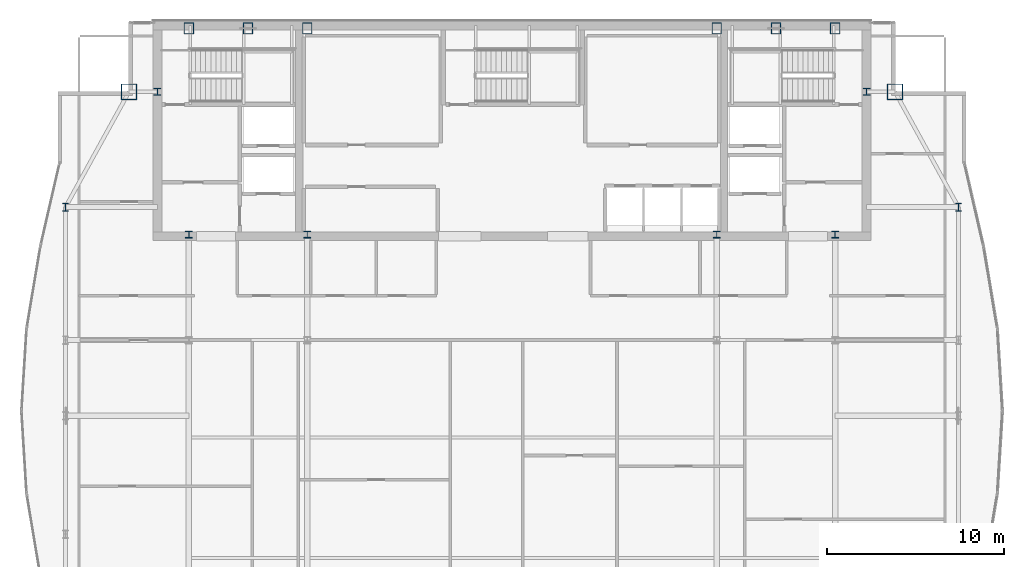
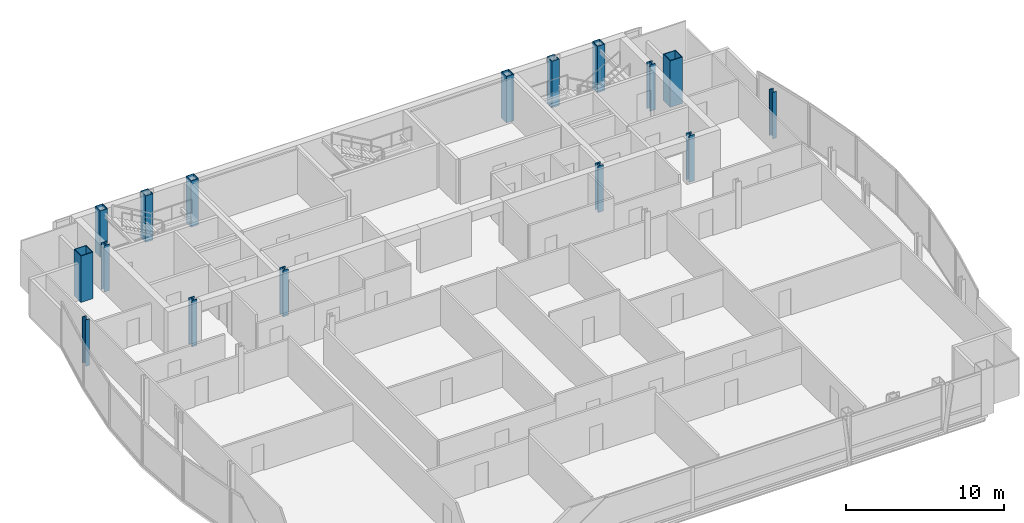
# One storey, part 3 of 29: 16 columns.
"""IFC4 building model written with IfcOpenShell, lengths in metres."""

from ifc_helpers import new_model, si_unit, direction, frame, origin, origin_2d, place, context, subcontext, project, spatial, hollow_rectangle, i_section, extrude, material, material_profile, profile_set, type_object, element, save


model = new_model("IFC4")

# Units and contexts
model_context = context("Model", 3, precision=1e-05, world=origin(), true_north=direction((0.0, 1.0)))
body_context = subcontext(model_context, "Body", "Model", "MODEL_VIEW")
ifc_project = project(units=[si_unit("LENGTHUNIT", "METRE"), si_unit("AREAUNIT", "SQUARE_METRE"), si_unit("VOLUMEUNIT", "CUBIC_METRE"), si_unit("PLANEANGLEUNIT", "RADIAN"), si_unit("MASSUNIT", "GRAM", prefix="KILO")], contexts=[model_context])

# Site, building, storey
site_placement = place(None, origin())
site = spatial("IfcSite", under=ifc_project, at=site_placement, CompositionType="ELEMENT")
building_placement = place(site_placement, origin())
building = spatial("IfcBuilding", under=site, at=building_placement, Name="Khoronbel Lancet Exchange", CompositionType="ELEMENT")
storey_placement = place(building_placement, frame((0.0, 0.0, 321.800048828125)))
storey = spatial("IfcBuildingStorey", under=building, at=storey_placement, Name="L83", CompositionType="ELEMENT", Elevation=321.800048828125)

# Columns
ifc_material_1 = material(Name="Steel S460", Category="steel")
ifc_material_profile_1 = material_profile(ifc_material_1, hollow_rectangle(XDim=0.550048828125, YDim=0.64990234375, WallThickness=0.0400390625, at=origin_2d()), Name="BOX 650x550x40")
ifc_profile_set_1 = profile_set([ifc_material_profile_1], Name="Steel S460")
column_type_1 = type_object("IfcColumnType", Name="COL-EC4", PredefinedType="COLUMN", material=ifc_profile_set_1)
for number, where, z_axis, x_axis, name in (
    (1, (18.22509765625, 53.280029296875, 0.0), (0.0, 0.0, 1.0), (1.0, 0.0, 0.0), "Structural column NC-W1 L83"),
    (2, (21.5625, 53.280029296875, 0.0), (0.0, 0.0, 1.0), (1.0, 0.0, 0.0), "Structural column NC-WM L83"),
    (3, (24.89990234375, 53.280029296875, 0.0), (0.0, 0.0, 1.0), (1.0, 0.0, 0.0), "Structural column NC-W2 L83"),
    (4, (48.0, 53.280029296875, 0.0), (0.0, 0.0, 1.0), (1.0, 0.0, 0.0), "Structural column NC-E1 L83"),
    (5, (51.33740234375, 53.280029296875, 0.0), (0.0, 0.0, 1.0), (1.0, 0.0, 0.0), "Structural column NC-EM L83"),
    (6, (54.675048828125, 53.280029296875, 0.0), (0.0, 0.0, 1.0), (1.0, 0.0, 0.0), "Structural column NC-E2 L83"),
):
    element("IfcColumn", number, at=place(storey_placement, frame(where, z_axis=z_axis, x_axis=x_axis)), inside=storey, type_object=column_type_1, Name=name, PredefinedType="COLUMN", context=body_context, shape_type="SweptSolid", body=[
        extrude(hollow_rectangle(XDim=0.550048828125, YDim=0.64990234375, WallThickness=0.0400390625, at=origin_2d()), origin(), (0.0, 0.0, 1.0), 3.599853515625),
    ])
ifc_material_2 = material(Name="Steel S355", Category="steel")
ifc_material_profile_2 = material_profile(ifc_material_2, i_section(OverallWidth=0.39892578125, OverallDepth=0.39306640625, WebThickness=0.022705078125, FlangeThickness=0.03662109375, at=origin_2d()), Name="HD 400x287")
ifc_profile_set_2 = profile_set([ifc_material_profile_2], Name="Steel S355")
column_type_2 = type_object("IfcColumnType", Name="COL-IC4", PredefinedType="COLUMN", material=ifc_profile_set_2)
for number, where, z_axis, x_axis, name in (
    (7, (16.449951171875, 49.699951171875, 0.0), (0.0, 0.0, 1.0), (1.0, 0.0, 0.0), "Core-flank plumb transfer column CFW L83"),
    (8, (56.449951171875, 49.699951171875, 0.0), (0.0, 0.0, 1.0), (1.0, 0.0, 0.0), "Core-flank plumb transfer column CFE L83"),
    (9, (18.22509765625, 41.64990234375, 0.0), (0.0, 0.0, 1.0), (1.0, 0.0, 0.0), "Core-embedded steel column CTC1 L83"),
    (10, (24.89990234375, 41.64990234375, 0.0), (0.0, 0.0, 1.0), (1.0, 0.0, 0.0), "Core-embedded steel column CTC2 L83"),
    (11, (48.0, 41.64990234375, 0.0), (0.0, 0.0, 1.0), (1.0, 0.0, 0.0), "Core-embedded steel column CTC3 L83"),
    (12, (54.675048828125, 41.64990234375, 0.0), (0.0, 0.0, 1.0), (1.0, 0.0, 0.0), "Core-embedded steel column CTC4 L83"),
):
    element("IfcColumn", number, at=place(storey_placement, frame(where, z_axis=z_axis, x_axis=x_axis)), inside=storey, type_object=column_type_2, Name=name, PredefinedType="COLUMN", context=body_context, shape_type="SweptSolid", body=[
        extrude(i_section(OverallWidth=0.39892578125, OverallDepth=0.39306640625, WebThickness=0.022705078125, FlangeThickness=0.03662109375, at=origin_2d()), origin(), (0.0, 0.0, 1.0), 3.599853515625),
    ])
ifc_material_profile_3 = material_profile(ifc_material_2, i_section(OverallWidth=0.300048828125, OverallDepth=0.449951171875, WebThickness=0.013916015625, FlangeThickness=0.02587890625, at=origin_2d()), Name="HEB 450")
ifc_profile_set_3 = profile_set([ifc_material_profile_3], Name="Steel S355")
column_type_3 = type_object("IfcColumnType", Name="COL-LC2", PredefinedType="COLUMN", material=ifc_profile_set_3)
for number, where, z_axis, x_axis, name in (
    (13, (11.27001953125, 43.199951171875, 0.0), (0.0, 0.0, 1.0), (1.0, 0.0, 0.0), "Structural column WC-4 L83"),
    (14, (61.6298828125, 43.199951171875, 0.0), (0.0, 0.0, 1.0), (1.0, 0.0, 0.0), "Structural column EC-4 L83"),
):
    element("IfcColumn", number, at=place(storey_placement, frame(where, z_axis=z_axis, x_axis=x_axis)), inside=storey, type_object=column_type_3, Name=name, PredefinedType="COLUMN", context=body_context, shape_type="SweptSolid", body=[
        extrude(i_section(OverallWidth=0.300048828125, OverallDepth=0.449951171875, WebThickness=0.013916015625, FlangeThickness=0.02587890625, at=origin_2d()), origin(), (0.0, 0.0, 1.0), 3.599853515625),
    ])
ifc_material_profile_4 = material_profile(ifc_material_1, hollow_rectangle(XDim=0.89990234375, YDim=0.89990234375, WallThickness=0.050048828125, at=origin_2d()), Name="BOX 900x900x50")
ifc_profile_set_4 = profile_set([ifc_material_profile_4], Name="Steel S460")
column_type_4 = type_object("IfcColumnType", Name="COL-MC7", PredefinedType="COLUMN", material=ifc_profile_set_4)
for number, where, z_axis, x_axis, name in (
    (15, (58.050048828125, 49.699951171875, 0.0), (0.0, 0.0, 1.0), (1.0, 0.0, 0.0), "Structural column MC-NE L83"),
    (16, (14.85009765625, 49.699951171875, 0.0), (0.0, 0.0, 1.0), (1.0, 0.0, 0.0), "Structural column MC-NW L83"),
):
    element("IfcColumn", number, at=place(storey_placement, frame(where, z_axis=z_axis, x_axis=x_axis)), inside=storey, type_object=column_type_4, Name=name, PredefinedType="COLUMN", context=body_context, shape_type="SweptSolid", body=[
        extrude(hollow_rectangle(XDim=0.89990234375, YDim=0.89990234375, WallThickness=0.050048828125, at=origin_2d()), origin(), (0.0, 0.0, 1.0), 3.599853515625),
    ])

save(model, "model.ifc")
